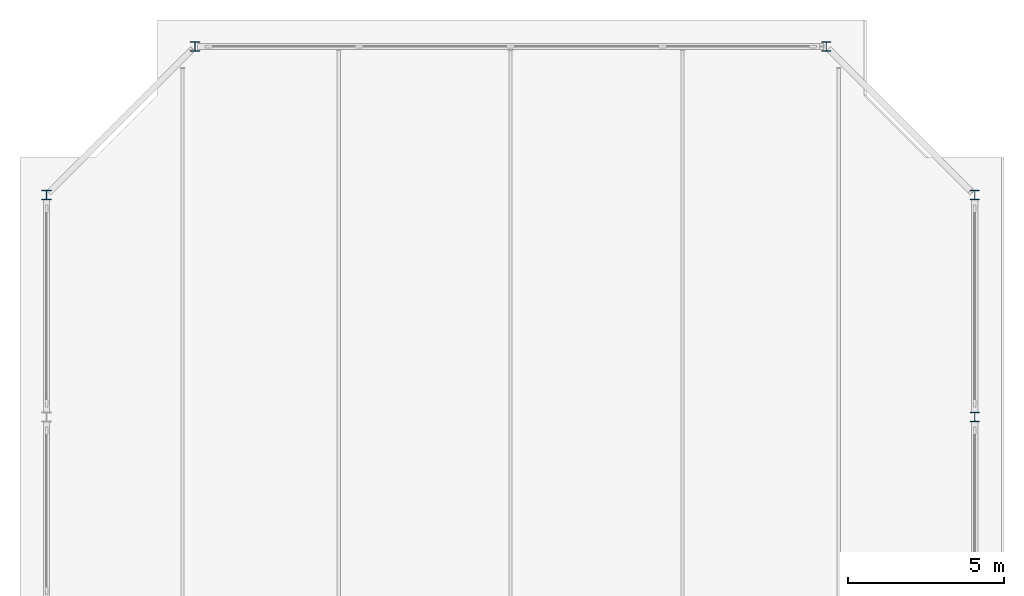
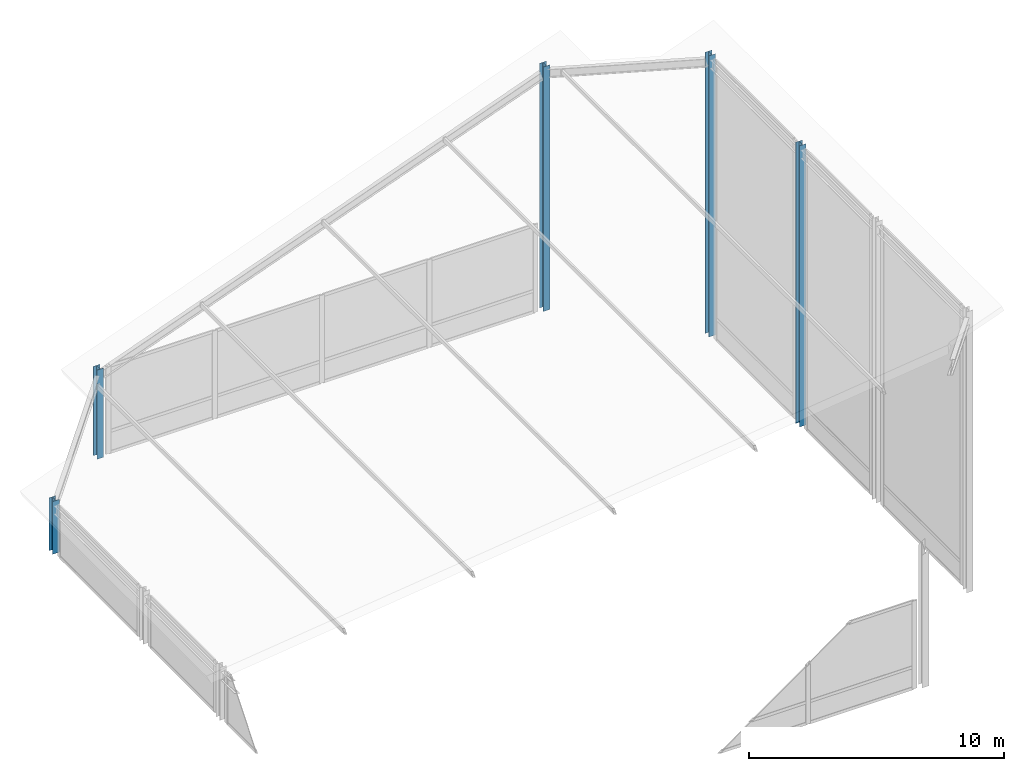
# One storey, part 2 of 8: 5 columns.
"""IFC4 building model written with IfcOpenShell, lengths in metres."""

from ifc_helpers import new_model, si_unit, direction, frame, origin, origin_2d, place, context, subcontext, project, spatial, i_section, extrude, source, transform, mapped, material, material_profile, profile_set, type_object, element, save


model = new_model("IFC4")

# Units and contexts
model_context = context("Model", 3, precision=1e-05, world=origin(), true_north=direction((0.0, 1.0)))
body_context = subcontext(model_context, "Body", "Model", "MODEL_VIEW")
ifc_project = project(units=[si_unit("LENGTHUNIT", "METRE"), si_unit("AREAUNIT", "SQUARE_METRE"), si_unit("VOLUMEUNIT", "CUBIC_METRE"), si_unit("PLANEANGLEUNIT", "RADIAN"), si_unit("MASSUNIT", "GRAM", prefix="KILO"), si_unit("THERMODYNAMICTEMPERATUREUNIT", "KELVIN"), si_unit("POWERUNIT", "WATT")], contexts=[model_context])

# Site, building, storey
site_placement = place(None, origin())
site = spatial("IfcSite", under=ifc_project, at=site_placement, CompositionType="ELEMENT")
building_placement = place(site_placement, origin())
building = spatial("IfcBuilding", under=site, at=building_placement, Name="Qiaomeng Ring Towers", CompositionType="ELEMENT")
storey_placement = place(building_placement, frame((0.0, 0.0, 267.75)))
storey = spatial("IfcBuildingStorey", under=building, at=storey_placement, Name="Roof", CompositionType="ELEMENT", Elevation=267.75)

# Columns
ifc_material = material(Name="Steel Q355B", Category="steel")
ifc_material_profile = material_profile(ifc_material, i_section(OverallWidth=0.300048828125, OverallDepth=0.300048828125, WebThickness=0.010009765625, FlangeThickness=0.014892578125, FilletRadius=0.01806640625, at=origin_2d()), Name="HW 300x300x10x15")
ifc_profile_set = profile_set([ifc_material_profile], Name="Steel Q355B")
column_type = type_object("IfcColumnType", Name="STR-COL-HW300", PredefinedType="COLUMN", material=ifc_profile_set)
shared_shape_1 = source(origin(), body_context, "Body", "SweptSolid", [
    extrude(i_section(OverallWidth=0.300048828125, OverallDepth=0.300048828125, WebThickness=0.010009765625, FlangeThickness=0.014892578125, FilletRadius=0.01806640625, at=origin_2d()), origin(), (0.0, 0.0, 1.0), 4.2705078125),
])
column_1_placement = place(storey_placement, frame((8.89990234375, 37.85009765625, 0.0), z_axis=(0.0, 0.0, 1.0), x_axis=(1.0, 0.0, 0.0)))
element("IfcColumn", 1, at=column_1_placement, inside=storey, type_object=column_type, Name="Crown Perimeter Column N1", PredefinedType="COLUMN", context=body_context, shape_type="MappedRepresentation", body=[
    mapped(shared_shape_1, transform((0.0, 0.0, 0.0), x_axis=(1.0, 0.0, 0.0), y_axis=(0.0, 1.0, 0.0), z_axis=(0.0, 0.0, 1.0), scale=1.0)),
])
shared_shape_2 = source(origin(), body_context, "Body", "SweptSolid", [
    extrude(i_section(OverallWidth=0.300048828125, OverallDepth=0.300048828125, WebThickness=0.010009765625, FlangeThickness=0.014892578125, FilletRadius=0.01806640625, at=origin_2d()), origin(), (0.0, 0.0, 1.0), 11.70263671875),
])
column_2_placement = place(storey_placement, frame((29.10009765625, 37.85009765625, 0.0), z_axis=(0.0, 0.0, 1.0), x_axis=(1.0, 0.0, 0.0)))
element("IfcColumn", 2, at=column_2_placement, inside=storey, type_object=column_type, Name="Crown Perimeter Column N2", PredefinedType="COLUMN", context=body_context, shape_type="MappedRepresentation", body=[
    mapped(shared_shape_2, transform((0.0, 0.0, 0.0), x_axis=(1.0, 0.0, 0.0), y_axis=(0.0, 1.0, 0.0), z_axis=(0.0, 0.0, 1.0), scale=1.0)),
])
shared_shape_3 = source(origin(), body_context, "Body", "SweptSolid", [
    extrude(i_section(OverallWidth=0.300048828125, OverallDepth=0.300048828125, WebThickness=0.010009765625, FlangeThickness=0.014892578125, FilletRadius=0.01806640625, at=origin_2d()), origin(), (0.0, 0.0, 1.0), 13.4501953125),
])
for number, where, z_axis, x_axis, name in (
    (3, (33.85009765625, 26.0, 0.0), (0.0, 0.0, 1.0), (1.0, 0.0, 0.0), "Crown Perimeter Column E3"),
    (4, (33.85009765625, 33.10009765625, 0.0), (0.0, 0.0, 1.0), (1.0, 0.0, 0.0), "Crown Perimeter Column E4"),
):
    element("IfcColumn", number, at=place(storey_placement, frame(where, z_axis=z_axis, x_axis=x_axis)), inside=storey, type_object=column_type, Name=name, PredefinedType="COLUMN", context=body_context, shape_type="MappedRepresentation", body=[
        mapped(shared_shape_3, transform((0.0, 0.0, 0.0), x_axis=(1.0, 0.0, 0.0), y_axis=(0.0, 1.0, 0.0), z_axis=(0.0, 0.0, 1.0), scale=1.0)),
    ])
shared_shape_4 = source(origin(), body_context, "Body", "SweptSolid", [
    extrude(i_section(OverallWidth=0.300048828125, OverallDepth=0.300048828125, WebThickness=0.010009765625, FlangeThickness=0.014892578125, FilletRadius=0.01806640625, at=origin_2d()), origin(), (0.0, 0.0, 1.0), 2.522705078125),
])
column_3_placement = place(storey_placement, frame((4.14990234375, 33.10009765625, 0.0), z_axis=(0.0, 0.0, 1.0), x_axis=(1.0, 0.0, 0.0)))
element("IfcColumn", 5, at=column_3_placement, inside=storey, type_object=column_type, Name="Crown Perimeter Column W4", PredefinedType="COLUMN", context=body_context, shape_type="MappedRepresentation", body=[
    mapped(shared_shape_4, transform((0.0, 0.0, 0.0), x_axis=(1.0, 0.0, 0.0), y_axis=(0.0, 1.0, 0.0), z_axis=(0.0, 0.0, 1.0), scale=1.0)),
])

save(model, "model.ifc")
